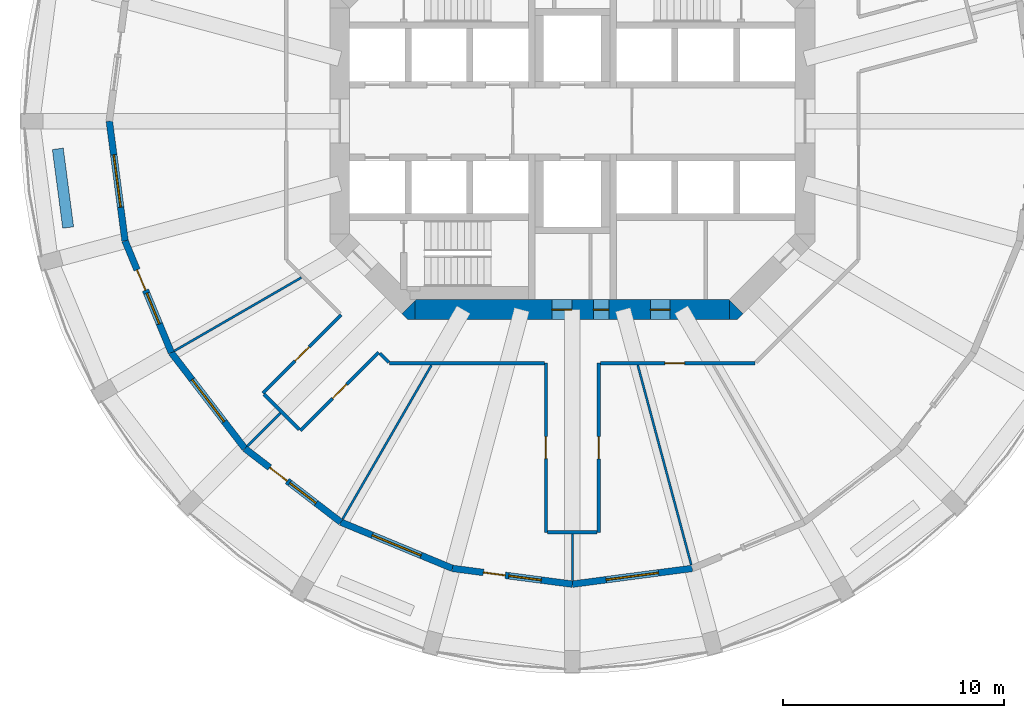
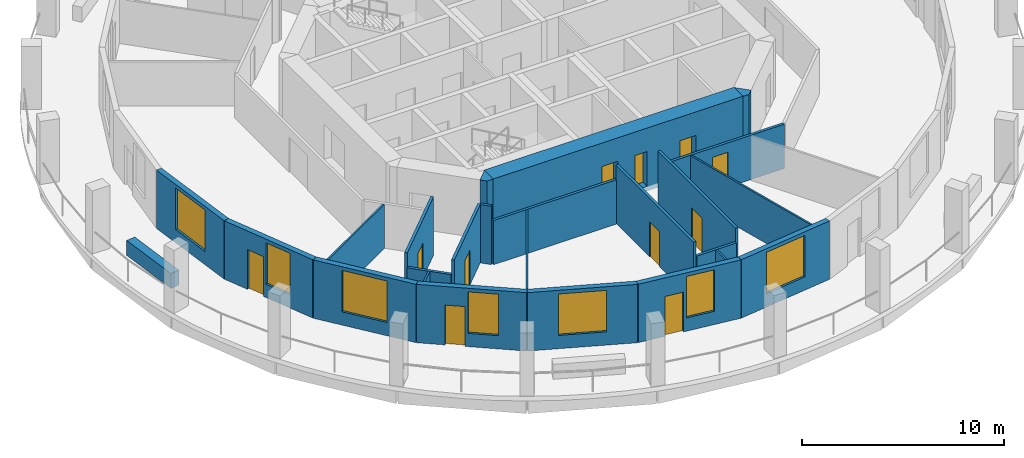
# One storey, part 2 of 8: 25 walls, 11 doors, 7 windows, 18 openings.
"""IFC4 building model written with IfcOpenShell, lengths in metres."""

from ifc_helpers import new_model, si_unit, direction, frame, frame_2d, origin, place, context, subcontext, project, spatial, polyline, rectangle, outline, extrude, material, layer, layer_set, type_object, element, fill, save


model = new_model("IFC4")

# Units and contexts
model_context = context("Model", 3, precision=1e-05, world=origin(), true_north=direction((0.0, 1.0)))
body_context = subcontext(model_context, "Body", "Model", "MODEL_VIEW")
ifc_project = project(units=[si_unit("LENGTHUNIT", "METRE"), si_unit("AREAUNIT", "SQUARE_METRE"), si_unit("VOLUMEUNIT", "CUBIC_METRE"), si_unit("PLANEANGLEUNIT", "RADIAN"), si_unit("MASSUNIT", "GRAM", prefix="KILO")], contexts=[model_context])

# Site, building, storey
site_placement = place(None, origin())
site = spatial("IfcSite", under=ifc_project, at=site_placement, CompositionType="ELEMENT")
building_placement = place(site_placement, origin())
building = spatial("IfcBuilding", under=site, at=building_placement, Name="Torre Triforio", CompositionType="ELEMENT")
storey_placement = place(building_placement, frame((0.0, 0.0, 131.39990234375)))
storey = spatial("IfcBuildingStorey", under=building, at=storey_placement, Name="L29", CompositionType="ELEMENT", Elevation=131.39990234375)

# Wall, openings, doors
ifc_material_1 = material(Name="Concrete C60", Category="concrete")
ifc_layer_1 = layer(ifc_material_1, 0.89990234375)
ifc_layer_set_1 = layer_set([ifc_layer_1], Name="Concrete C60")
wall_type_1 = type_object("IfcWallType", Name="Core wall 900 mm C60 EI 120", PredefinedType="SHEAR", material=ifc_layer_set_1)
wall_1_placement = place(storey_placement, frame((-7.1298828125, -8.550048828125, -0.27978515625), z_axis=(0.0, 0.0, 1.0), x_axis=(1.0, 0.0, 0.0)))
wall_1 = element("IfcWall", 1, at=wall_1_placement, inside=storey, type_object=wall_type_1, Name="Core wall", PredefinedType="SHEAR", context=body_context, shape_type="SweptSolid", body=[
    extrude(rectangle(XDim=14.259765625, YDim=0.89990234375, at=frame_2d((7.1298828125, 0.0))), origin(), (0.0, 0.0, 1.0), 3.7998046875),
])
opening_1_placement = place(wall_1_placement, frame((8.080078125, 0.0, 0.280029296875)))
opening_1 = element("IfcOpeningElement", 2, at=opening_1_placement, cuts=wall_1, Name="Opening RISER-S", PredefinedType="OPENING", context=body_context, shape_type="SweptSolid", body=[
    extrude(rectangle(XDim=0.699951171875, YDim=2.10009765625, at=frame_2d((0.35009765625, 1.050048828125))), frame((0.0, 0.4599609375, 0.0), z_axis=(0.0, -1.0, 0.0), x_axis=(1.0, 0.0, 0.0)), (0.0, 0.0, 1.0), 0.919921875),
])
opening_2_placement = place(wall_1_placement, frame((6.205078125, 0.0, 0.280029296875)))
opening_2 = element("IfcOpeningElement", 3, at=opening_2_placement, cuts=wall_1, Name="Opening SW-01B", PredefinedType="OPENING", context=body_context, shape_type="SweptSolid", body=[
    extrude(rectangle(XDim=0.89990234375, YDim=2.10009765625, at=frame_2d((0.449951171875, 1.050048828125))), frame((0.0, 0.4599609375, 0.0), z_axis=(0.0, -1.0, 0.0), x_axis=(1.0, 0.0, 0.0)), (0.0, 0.0, 1.0), 0.919921875),
])
opening_3_placement = place(wall_1_placement, frame((10.66748046875, 0.0, 0.280029296875)))
opening_3 = element("IfcOpeningElement", 4, at=opening_3_placement, cuts=wall_1, Name="Opening SE-01A", PredefinedType="OPENING", context=body_context, shape_type="SweptSolid", body=[
    extrude(rectangle(XDim=0.89990234375, YDim=2.10009765625, at=frame_2d((0.449951171875, 1.050048828125))), frame((0.0, 0.4599609375, 0.0), z_axis=(0.0, -1.0, 0.0), x_axis=(1.0, 0.0, 0.0)), (0.0, 0.0, 1.0), 0.919921875),
])
ifc_material_2 = material(Name="Hollow metal fire door leaf")
door_type_1 = type_object("IfcDoorType", Name="Riser door 700 x 2100 EI 60", OperationType="NOTDEFINED", PredefinedType="DOOR", material=ifc_material_2)
door_1_placement = place(opening_1_placement, origin())
door_1 = element("IfcDoor", 5, at=door_1_placement, inside=storey, type_object=door_type_1, Name="Core door RISER-S", OperationType="SINGLE_SWING_LEFT", OverallHeight=2.10009765625, OverallWidth=0.699951171875, PredefinedType="DOOR", context=body_context, shape_type="SweptSolid", body=[
    extrude(rectangle(XDim=0.699951171875, YDim=2.10009765625, at=frame_2d((0.35009765625, 1.050048828125))), frame((0.0, 0.02490234375, 0.0), z_axis=(0.0, -1.0, 0.0), x_axis=(1.0, 0.0, 0.0)), (0.0, 0.0, 1.0), 0.050048828125),
])
fill(opening_1, door_1)
door_type_2 = type_object("IfcDoorType", Name="Room door 900 x 2100 EI 60", OperationType="NOTDEFINED", PredefinedType="DOOR", material=ifc_material_2)
door_2_placement = place(opening_2_placement, origin())
door_2 = element("IfcDoor", 6, at=door_2_placement, inside=storey, type_object=door_type_2, Name="Core door SW-01", OperationType="SINGLE_SWING_LEFT", OverallHeight=2.10009765625, OverallWidth=0.89990234375, PredefinedType="DOOR", context=body_context, shape_type="SweptSolid", body=[
    extrude(rectangle(XDim=0.89990234375, YDim=2.10009765625, at=frame_2d((0.449951171875, 1.050048828125))), frame((0.0, 0.02490234375, 0.0), z_axis=(0.0, -1.0, 0.0), x_axis=(1.0, 0.0, 0.0)), (0.0, 0.0, 1.0), 0.050048828125),
])
fill(opening_2, door_2)
door_3_placement = place(opening_3_placement, origin())
door_3 = element("IfcDoor", 7, at=door_3_placement, inside=storey, type_object=door_type_2, Name="Core door SE-01", OperationType="SINGLE_SWING_LEFT", OverallHeight=2.10009765625, OverallWidth=0.89990234375, PredefinedType="DOOR", context=body_context, shape_type="SweptSolid", body=[
    extrude(rectangle(XDim=0.89990234375, YDim=2.10009765625, at=frame_2d((0.449951171875, 1.050048828125))), frame((0.0, 0.02490234375, 0.0), z_axis=(0.0, -1.0, 0.0), x_axis=(1.0, 0.0, 0.0)), (0.0, 0.0, 1.0), 0.050048828125),
])
fill(opening_3, door_3)

# Walls
wall_2_placement = place(storey_placement, frame((0.0, 0.0, -0.27978515625)))
element("IfcWall", 8, at=wall_2_placement, inside=storey, type_object=wall_type_1, Name="Core wall", PredefinedType="SHEAR", context=body_context, shape_type="SweptSolid", body=[
    extrude(outline(polyline([(-7.472900390625, -9.0), (-7.736328125, -8.736328125), (-7.1298828125, -8.1298828125), (-7.1298828125, -9.0), (-7.472900390625, -9.0)])), origin(), (0.0, 0.0, 1.0), 3.7998046875),
])
wall_3_placement = place(storey_placement, frame((0.0, 0.0, -0.27978515625)))
element("IfcWall", 9, at=wall_3_placement, inside=storey, type_object=wall_type_1, Name="Core wall", PredefinedType="SHEAR", context=body_context, shape_type="SweptSolid", body=[
    extrude(outline(polyline([(7.472900390625, -9.0), (7.1298828125, -9.0), (7.1298828125, -8.1298828125), (7.736328125, -8.736328125), (7.472900390625, -9.0)])), origin(), (0.0, 0.0, 1.0), 3.7998046875),
])
ifc_material_3 = material(Name="Plasterboard on metal studs")
ifc_layer_2 = layer(ifc_material_3, 0.14990234375)
ifc_layer_set_2 = layer_set([ifc_layer_2], Name="Plasterboard on metal studs")
wall_type_2 = type_object("IfcWallType", Name="Corridor and tenancy wall 150 mm EI 60", PredefinedType="PARTITIONING", material=ifc_layer_set_2)
wall_4_placement = place(storey_placement, frame((-12.39111328125, -13.982177734375, 0.0), z_axis=(0.0, 0.0, 1.0), x_axis=(-0.707106781187, 0.707106781187, 0.0)))
element("IfcWall", 10, at=wall_4_placement, inside=storey, type_object=wall_type_2, Name="Partition 1", PredefinedType="PARTITIONING", context=body_context, shape_type="SweptSolid", body=[
    extrude(rectangle(XDim=2.25, YDim=0.14990234375, at=frame_2d((1.125, 0.0))), origin(), (0.0, 0.0, 1.0), 2.670166015625),
])

# Wall, opening, door
wall_5_placement = place(storey_placement, frame((-14.03515625, -12.338134765625, 0.0), z_axis=(0.0, 0.0, 1.0), x_axis=(0.707106781187, 0.707106781187, 0.0)))
wall_5 = element("IfcWall", 11, at=wall_5_placement, inside=storey, type_object=wall_type_2, Name="Partition 2", PredefinedType="PARTITIONING", context=body_context, shape_type="SweptSolid", body=[
    extrude(rectangle(XDim=5.025634765625, YDim=0.14990234375, at=frame_2d((2.5126953125, 0.0))), origin(), (0.0, 0.0, 1.0), 3.52001953125),
])
opening_4_placement = place(wall_5_placement, frame((2.062744140625, 0.0, 0.0)))
opening_4 = element("IfcOpeningElement", 12, at=opening_4_placement, cuts=wall_5, Name="Opening D2-02", PredefinedType="OPENING", context=body_context, shape_type="SweptSolid", body=[
    extrude(rectangle(XDim=0.89990234375, YDim=2.10009765625, at=frame_2d((0.449951171875, 1.050048828125))), frame((0.0, 0.0849609375, 0.0), z_axis=(0.0, -1.0, 0.0), x_axis=(1.0, 0.0, 0.0)), (0.0, 0.0, 1.0), 0.169921875),
])
ifc_material_4 = material(Name="Timber", Category="wood")
door_type_3 = type_object("IfcDoorType", Name="Door 900 x 2100 single leaf EI 30", OperationType="NOTDEFINED", PredefinedType="DOOR", material=ifc_material_4)
door_4_placement = place(opening_4_placement, origin())
door_4 = element("IfcDoor", 13, at=door_4_placement, inside=storey, type_object=door_type_3, Name="Door D2-02", OperationType="SINGLE_SWING_LEFT", OverallHeight=2.10009765625, OverallWidth=0.89990234375, PredefinedType="DOOR", context=body_context, shape_type="SweptSolid", body=[
    extrude(rectangle(XDim=0.89990234375, YDim=2.10009765625, at=frame_2d((0.449951171875, 1.050048828125))), frame((0.0, 0.02490234375, 0.0), z_axis=(0.0, -1.0, 0.0), x_axis=(1.0, 0.0, 0.0)), (0.0, 0.0, 1.0), 0.050048828125),
])
fill(opening_4, door_4)

wall_6_placement = place(storey_placement, frame((8.291015625, -10.97509765625, 0.0), z_axis=(0.0, 0.0, 1.0), x_axis=(-1.0, 0.0, 0.0)))
wall_6 = element("IfcWall", 14, at=wall_6_placement, inside=storey, type_object=wall_type_2, Name="Partition 24", PredefinedType="PARTITIONING", context=body_context, shape_type="SweptSolid", body=[
    extrude(rectangle(XDim=7.01611328125, YDim=0.14990234375, at=frame_2d((3.508056640625, 0.0))), origin(), (0.0, 0.0, 1.0), 2.670166015625),
])
opening_5_placement = place(wall_6_placement, frame((3.198486328125, 0.0, 0.0)))
opening_5 = element("IfcOpeningElement", 15, at=opening_5_placement, cuts=wall_6, Name="Opening D2-06", PredefinedType="OPENING", context=body_context, shape_type="SweptSolid", body=[
    extrude(rectangle(XDim=0.89990234375, YDim=2.10009765625, at=frame_2d((0.449951171875, 1.050048828125))), frame((0.0, 0.0849609375, 0.0), z_axis=(0.0, -1.0, 0.0), x_axis=(1.0, 0.0, 0.0)), (0.0, 0.0, 1.0), 0.169921875),
])
door_5_placement = place(opening_5_placement, origin())
door_5 = element("IfcDoor", 16, at=door_5_placement, inside=storey, type_object=door_type_3, Name="Door D2-06", OperationType="SINGLE_SWING_LEFT", OverallHeight=2.10009765625, OverallWidth=0.89990234375, PredefinedType="DOOR", context=body_context, shape_type="SweptSolid", body=[
    extrude(rectangle(XDim=0.89990234375, YDim=2.10009765625, at=frame_2d((0.449951171875, 1.050048828125))), frame((0.0, 0.02490234375, 0.0), z_axis=(0.0, -1.0, 0.0), x_axis=(1.0, 0.0, 0.0)), (0.0, 0.0, 1.0), 0.050048828125),
])
fill(opening_5, door_5)

wall_7_placement = place(storey_placement, frame((1.199951171875, -10.97509765625, 0.0), z_axis=(0.0, 0.0, 1.0), x_axis=(0.0, -1.0, 0.0)))
wall_7 = element("IfcWall", 17, at=wall_7_placement, inside=storey, type_object=wall_type_2, Name="Partition 25", PredefinedType="PARTITIONING", context=body_context, shape_type="SweptSolid", body=[
    extrude(rectangle(XDim=7.673583984375, YDim=0.14990234375, at=frame_2d((3.8369140625, 0.0))), origin(), (0.0, 0.0, 1.0), 3.52001953125),
])
opening_6_placement = place(wall_7_placement, frame((3.3369140625, 0.0, 0.0)))
opening_6 = element("IfcOpeningElement", 18, at=opening_6_placement, cuts=wall_7, Name="Opening D2-05", PredefinedType="OPENING", context=body_context, shape_type="SweptSolid", body=[
    extrude(rectangle(XDim=1.0, YDim=2.10009765625, at=frame_2d((0.5, 1.050048828125))), frame((0.0, 0.0849609375, 0.0), z_axis=(0.0, -1.0, 0.0), x_axis=(1.0, 0.0, 0.0)), (0.0, 0.0, 1.0), 0.169921875),
])
door_type_4 = type_object("IfcDoorType", Name="Door 1000 x 2100 single leaf EI 30", OperationType="NOTDEFINED", PredefinedType="DOOR", material=ifc_material_4)
door_6_placement = place(opening_6_placement, origin())
door_6 = element("IfcDoor", 19, at=door_6_placement, inside=storey, type_object=door_type_4, Name="Door D2-05", OperationType="SINGLE_SWING_RIGHT", OverallHeight=2.10009765625, OverallWidth=1.0, PredefinedType="DOOR", context=body_context, shape_type="SweptSolid", body=[
    extrude(rectangle(XDim=1.0, YDim=2.10009765625, at=frame_2d((0.5, 1.050048828125))), frame((0.0, 0.02490234375, 0.0), z_axis=(0.0, -1.0, 0.0), x_axis=(1.0, 0.0, 0.0)), (0.0, 0.0, 1.0), 0.050048828125),
])
fill(opening_6, door_6)

# Wall
wall_8_placement = place(storey_placement, frame((1.125, -18.648681640625, 0.0), z_axis=(0.0, 0.0, 1.0), x_axis=(-1.0, 0.0, 0.0)))
element("IfcWall", 20, at=wall_8_placement, inside=storey, type_object=wall_type_2, Name="Partition 26", PredefinedType="PARTITIONING", context=body_context, shape_type="SweptSolid", body=[
    extrude(rectangle(XDim=2.25, YDim=0.14990234375, at=frame_2d((1.125, 0.0))), origin(), (0.0, 0.0, 1.0), 2.670166015625),
])

# Wall, opening, door
wall_9_placement = place(storey_placement, frame((-1.199951171875, -18.648681640625, 0.0), z_axis=(0.0, 0.0, 1.0), x_axis=(0.0, 1.0, 0.0)))
wall_9 = element("IfcWall", 21, at=wall_9_placement, inside=storey, type_object=wall_type_2, Name="Partition 27", PredefinedType="PARTITIONING", context=body_context, shape_type="SweptSolid", body=[
    extrude(rectangle(XDim=7.673583984375, YDim=0.14990234375, at=frame_2d((3.8369140625, 0.0))), origin(), (0.0, 0.0, 1.0), 3.52001953125),
])
opening_7_placement = place(wall_9_placement, frame((3.3369140625, 0.0, 0.0)))
opening_7 = element("IfcOpeningElement", 22, at=opening_7_placement, cuts=wall_9, Name="Opening D2-04", PredefinedType="OPENING", context=body_context, shape_type="SweptSolid", body=[
    extrude(rectangle(XDim=1.0, YDim=2.10009765625, at=frame_2d((0.5, 1.050048828125))), frame((0.0, 0.0849609375, 0.0), z_axis=(0.0, -1.0, 0.0), x_axis=(1.0, 0.0, 0.0)), (0.0, 0.0, 1.0), 0.169921875),
])
door_7_placement = place(opening_7_placement, origin())
door_7 = element("IfcDoor", 23, at=door_7_placement, inside=storey, type_object=door_type_4, Name="Door D2-04", OperationType="SINGLE_SWING_RIGHT", OverallHeight=2.10009765625, OverallWidth=1.0, PredefinedType="DOOR", context=body_context, shape_type="SweptSolid", body=[
    extrude(rectangle(XDim=1.0, YDim=2.10009765625, at=frame_2d((0.5, 1.050048828125))), frame((0.0, 0.02490234375, 0.0), z_axis=(0.0, -1.0, 0.0), x_axis=(1.0, 0.0, 0.0)), (0.0, 0.0, 1.0), 0.050048828125),
])
fill(opening_7, door_7)

# Walls
wall_10_placement = place(storey_placement, frame((-1.27490234375, -10.97509765625, 0.0), z_axis=(0.0, 0.0, 1.0), x_axis=(-1.0, 0.0, 0.0)))
element("IfcWall", 24, at=wall_10_placement, inside=storey, type_object=wall_type_2, Name="Partition 28", PredefinedType="PARTITIONING", context=body_context, shape_type="SweptSolid", body=[
    extrude(rectangle(XDim=7.01611328125, YDim=0.14990234375, at=frame_2d((3.508056640625, 0.0))), origin(), (0.0, 0.0, 1.0), 2.670166015625),
])
wall_11_placement = place(storey_placement, frame((-8.327880859375, -10.93798828125, 0.0), z_axis=(0.0, 0.0, 1.0), x_axis=(-0.707106781187, 0.707106781187, 0.0)))
element("IfcWall", 25, at=wall_11_placement, inside=storey, type_object=wall_type_2, Name="Partition 29", PredefinedType="PARTITIONING", context=body_context, shape_type="SweptSolid", body=[
    extrude(rectangle(XDim=0.57080078125, YDim=0.14990234375, at=frame_2d((0.285400390625, 0.0))), origin(), (0.0, 0.0, 1.0), 3.52001953125),
])

# Wall, opening, door
wall_12_placement = place(storey_placement, frame((-8.784423828125, -10.4814453125, 0.0), z_axis=(0.0, 0.0, 1.0), x_axis=(-0.707106781187, -0.707106781187, 0.0)))
wall_12 = element("IfcWall", 26, at=wall_12_placement, inside=storey, type_object=wall_type_2, Name="Partition 30", PredefinedType="PARTITIONING", context=body_context, shape_type="SweptSolid", body=[
    extrude(rectangle(XDim=5.025634765625, YDim=0.14990234375, at=frame_2d((2.5126953125, 0.0))), origin(), (0.0, 0.0, 1.0), 3.52001953125),
])
opening_8_placement = place(wall_12_placement, frame((2.062744140625, 0.0, 0.0)))
opening_8 = element("IfcOpeningElement", 27, at=opening_8_placement, cuts=wall_12, Name="Opening D2-03", PredefinedType="OPENING", context=body_context, shape_type="SweptSolid", body=[
    extrude(rectangle(XDim=0.89990234375, YDim=2.10009765625, at=frame_2d((0.449951171875, 1.050048828125))), frame((0.0, 0.0849609375, 0.0), z_axis=(0.0, -1.0, 0.0), x_axis=(1.0, 0.0, 0.0)), (0.0, 0.0, 1.0), 0.169921875),
])
door_8_placement = place(opening_8_placement, origin())
door_8 = element("IfcDoor", 28, at=door_8_placement, inside=storey, type_object=door_type_3, Name="Door D2-03", OperationType="SINGLE_SWING_LEFT", OverallHeight=2.10009765625, OverallWidth=0.89990234375, PredefinedType="DOOR", context=body_context, shape_type="SweptSolid", body=[
    extrude(rectangle(XDim=0.89990234375, YDim=2.10009765625, at=frame_2d((0.449951171875, 1.050048828125))), frame((0.0, 0.02490234375, 0.0), z_axis=(0.0, -1.0, 0.0), x_axis=(1.0, 0.0, 0.0)), (0.0, 0.0, 1.0), 0.050048828125),
])
fill(opening_8, door_8)

# Walls
ifc_layer_3 = layer(ifc_material_3, 0.10009765625)
ifc_layer_set_3 = layer_set([ifc_layer_3], Name="Plasterboard on metal studs")
wall_type_3 = type_object("IfcWallType", Name="Partition 100 mm board on metal studs", PredefinedType="PARTITIONING", material=ifc_layer_set_3)
wall_13_placement = place(storey_placement, frame((-12.294189453125, -7.097900390625, 0.0), z_axis=(0.0, 0.0, 1.0), x_axis=(-0.866010486135, -0.500025837236, 0.0)))
element("IfcWall", 29, at=wall_13_placement, inside=storey, type_object=wall_type_3, Name="Partition 40", PredefinedType="PARTITIONING", context=body_context, shape_type="SweptSolid", body=[
    extrude(rectangle(XDim=6.640869140625, YDim=0.10009765625, at=frame_2d((3.3203125, 0.0))), origin(), (0.0, 0.0, 1.0), 2.670166015625),
])
wall_14_placement = place(storey_placement, frame((-13.23974609375, -13.23974609375, 0.0), z_axis=(0.0, 0.0, 1.0), x_axis=(-0.707106781187, -0.707106781187, 0.0)))
element("IfcWall", 30, at=wall_14_placement, inside=storey, type_object=wall_type_3, Name="Partition 41", PredefinedType="PARTITIONING", context=body_context, shape_type="SweptSolid", body=[
    extrude(rectangle(XDim=2.113037109375, YDim=0.10009765625, at=frame_2d((1.056640625, 0.0))), origin(), (0.0, 0.0, 1.0), 2.670166015625),
])
wall_15_placement = place(storey_placement, frame((-6.393798828125, -11.07470703125, 0.0), z_axis=(0.0, 0.0, 1.0), x_axis=(-0.500024397361, -0.866011317503, 0.0)))
element("IfcWall", 31, at=wall_15_placement, inside=storey, type_object=wall_type_3, Name="Partition 42", PredefinedType="PARTITIONING", context=body_context, shape_type="SweptSolid", body=[
    extrude(rectangle(XDim=8.048828125, YDim=0.10009765625, at=frame_2d((4.0244140625, 0.0))), origin(), (0.0, 0.0, 1.0), 2.670166015625),
])
wall_16_placement = place(storey_placement, frame((0.0, -18.7236328125, 0.0), z_axis=(0.0, 0.0, 1.0), x_axis=(0.0, -1.0, 0.0)))
element("IfcWall", 32, at=wall_16_placement, inside=storey, type_object=wall_type_3, Name="Partition 43", PredefinedType="PARTITIONING", context=body_context, shape_type="SweptSolid", body=[
    extrude(rectangle(XDim=2.113037109375, YDim=0.10009765625, at=frame_2d((1.056640625, 0.0))), origin(), (0.0, 0.0, 1.0), 2.670166015625),
])
wall_17_placement = place(storey_placement, frame((2.964599609375, -11.064208984375, 0.0), z_axis=(0.0, 0.0, 1.0), x_axis=(0.258812392192, -0.965927608906, 0.0)))
element("IfcWall", 33, at=wall_17_placement, inside=storey, type_object=wall_type_3, Name="Partition 44", PredefinedType="PARTITIONING", context=body_context, shape_type="SweptSolid", body=[
    extrude(rectangle(XDim=9.382080078125, YDim=0.10009765625, at=frame_2d((4.69091796875, 0.0))), origin(), (0.0, 0.0, 1.0), 2.670166015625),
])
ifc_material_5 = material(Name="Limestone cladding", Category="masonry")
ifc_layer_4 = layer(ifc_material_5, 0.10009765625)
ifc_material_6 = material(Name="Concrete C40", Category="concrete")
ifc_layer_5 = layer(ifc_material_6, 0.39990234375)
ifc_layer_set_4 = layer_set([ifc_layer_4, ifc_layer_5], Name="Limestone cladding / Concrete C40")
wall_type_4 = type_object("IfcWallType", Name="Planter wall 500", PredefinedType="PARAPET", material=ifc_layer_set_4)
wall_18_placement = place(storey_placement, frame((-23.335693359375, -1.256591796875, 0.0), z_axis=(0.0, 0.0, 1.0), x_axis=(0.130542222659, -0.991442750795, 0.0)))
element("IfcWall", 34, at=wall_18_placement, inside=storey, type_object=wall_type_4, Name="Planter L29 bay 13", PredefinedType="PARAPET", context=body_context, shape_type="SweptSolid", body=[
    extrude(rectangle(XDim=3.60009765625, YDim=0.5, at=frame_2d((1.800048828125, 0.0))), origin(), (0.0, 0.0, 1.0), 0.900146484375),
])

# Wall, opening, window
ifc_layer_6 = layer(ifc_material_5, 0.10009765625)
ifc_layer_7 = layer(ifc_material_6, 0.199951171875)
ifc_layer_set_5 = layer_set([ifc_layer_6, ifc_layer_7], Name="Limestone cladding / Concrete C40")
wall_type_5 = type_object("IfcWallType", Name="Stone-faced composite wall 300", PredefinedType="STANDARD", material=ifc_layer_set_5)
wall_19_placement = place(storey_placement, frame((-21.0, 0.0, 0.0), z_axis=(0.0, 0.0, 1.0), x_axis=(0.130527087244, -0.991444743541, 0.0)))
wall_19 = element("IfcWall", 35, at=wall_19_placement, inside=storey, type_object=wall_type_5, Name="External wall L29 bay 13", PredefinedType="STANDARD", context=body_context, shape_type="SweptSolid", body=[
    extrude(rectangle(XDim=5.482177734375, YDim=0.300048828125, at=frame_2d((2.7412109375, 0.0))), origin(), (0.0, 0.0, 1.0), 3.52001953125),
])
opening_9_placement = place(wall_19_placement, frame((1.541015625, 0.0, 0.800048828125)))
opening_9 = element("IfcOpeningElement", 36, at=opening_9_placement, cuts=wall_19, Name="Opening D2-W13", PredefinedType="OPENING", context=body_context, shape_type="SweptSolid", body=[
    extrude(rectangle(XDim=2.39990234375, YDim=2.5, at=frame_2d((1.199951171875, 1.25))), frame((0.0, 0.159912109375, 0.0), z_axis=(0.0, -1.0, 0.0), x_axis=(1.0, 0.0, 0.0)), (0.0, 0.0, 1.0), 0.320068359375),
])
ifc_material_7 = material(Name="Aluminium frame with clear double glazing", Category="aluminium")
window_type_1 = type_object("IfcWindowType", Name="Punched window 2400 x 2500", PartitioningType="DOUBLE_PANEL_VERTICAL", PredefinedType="WINDOW", material=ifc_material_7)
window_1_placement = place(opening_9_placement, origin())
window_1 = element("IfcWindow", 37, at=window_1_placement, inside=storey, type_object=window_type_1, Name="Window EWN3 L29 bay 13", OverallHeight=2.5, OverallWidth=2.39990234375, PartitioningType="SINGLE_PANEL", PredefinedType="WINDOW", context=body_context, shape_type="SweptSolid", body=[
    extrude(rectangle(XDim=2.39990234375, YDim=2.5, at=frame_2d((1.199951171875, 1.25))), frame((0.0, 0.030029296875, 0.0), z_axis=(0.0, -1.0, 0.0), x_axis=(1.0, 0.0, 0.0)), (0.0, 0.0, 1.0), 0.06005859375),
])
fill(opening_9, window_1)

# Wall, openings, door, window
wall_20_placement = place(storey_placement, frame((-20.284423828125, -5.435302734375, 0.0), z_axis=(0.0, 0.0, 1.0), x_axis=(0.382688740813, -0.923877333662, 0.0)))
wall_20 = element("IfcWall", 38, at=wall_20_placement, inside=storey, type_object=wall_type_5, Name="External wall L29 bay 14", PredefinedType="STANDARD", context=body_context, shape_type="SweptSolid", body=[
    extrude(rectangle(XDim=5.48193359375, YDim=0.300048828125, at=frame_2d((2.740966796875, 0.0))), origin(), (0.0, 0.0, 1.0), 3.52001953125),
])
opening_10_placement = place(wall_20_placement, frame((1.416015625, 0.0, 0.0)))
opening_10 = element("IfcOpeningElement", 39, at=opening_10_placement, cuts=wall_20, Name="Opening D2-D14", PredefinedType="OPENING", context=body_context, shape_type="SweptSolid", body=[
    extrude(rectangle(XDim=1.0, YDim=2.39990234375, at=frame_2d((0.5, 1.199951171875))), frame((0.0, 0.159912109375, 0.0), z_axis=(0.0, -1.0, 0.0), x_axis=(1.0, 0.0, 0.0)), (0.0, 0.0, 1.0), 0.320068359375),
])
opening_11_placement = place(wall_20_placement, frame((2.566162109375, 0.0, 0.800048828125)))
opening_11 = element("IfcOpeningElement", 40, at=opening_11_placement, cuts=wall_20, Name="Opening D2-W14A", PredefinedType="OPENING", context=body_context, shape_type="SweptSolid", body=[
    extrude(rectangle(XDim=1.5, YDim=2.5, at=frame_2d((0.75, 1.25))), frame((0.0, 0.159912109375, 0.0), z_axis=(0.0, -1.0, 0.0), x_axis=(1.0, 0.0, 0.0)), (0.0, 0.0, 1.0), 0.320068359375),
])
door_type_5 = type_object("IfcDoorType", Name="Loggia door 1000 x 2400", OperationType="NOTDEFINED", PredefinedType="DOOR", material=ifc_material_7)
door_9_placement = place(opening_10_placement, origin())
door_9 = element("IfcDoor", 41, at=door_9_placement, inside=storey, type_object=door_type_5, Name="Loggia door L29 bay 14", OperationType="SINGLE_SWING_LEFT", OverallHeight=2.39990234375, OverallWidth=1.0, PredefinedType="DOOR", context=body_context, shape_type="SweptSolid", body=[
    extrude(rectangle(XDim=1.0, YDim=2.39990234375, at=frame_2d((0.5, 1.199951171875))), frame((0.0, 0.02490234375, 0.0), z_axis=(0.0, -1.0, 0.0), x_axis=(1.0, 0.0, 0.0)), (0.0, 0.0, 1.0), 0.050048828125),
])
fill(opening_10, door_9)
window_type_2 = type_object("IfcWindowType", Name="Side window 1500 x 2500", PartitioningType="SINGLE_PANEL", PredefinedType="WINDOW", material=ifc_material_7)
window_2_placement = place(opening_11_placement, origin())
window_2 = element("IfcWindow", 42, at=window_2_placement, inside=storey, type_object=window_type_2, Name="Side window EWN13 L29 bay 14", OverallHeight=2.5, OverallWidth=1.5, PartitioningType="SINGLE_PANEL", PredefinedType="WINDOW", context=body_context, shape_type="SweptSolid", body=[
    extrude(rectangle(XDim=1.5, YDim=2.5, at=frame_2d((0.75, 1.25))), frame((0.0, 0.030029296875, 0.0), z_axis=(0.0, -1.0, 0.0), x_axis=(1.0, 0.0, 0.0)), (0.0, 0.0, 1.0), 0.06005859375),
])
fill(opening_11, window_2)

# Wall, opening, window
wall_21_placement = place(storey_placement, frame((-18.1865234375, -10.5, 0.0), z_axis=(0.0, 0.0, 1.0), x_axis=(0.608784891166, -0.793335336593, 0.0)))
wall_21 = element("IfcWall", 43, at=wall_21_placement, inside=storey, type_object=wall_type_5, Name="External wall L29 bay 15", PredefinedType="STANDARD", context=body_context, shape_type="SweptSolid", body=[
    extrude(rectangle(XDim=5.482177734375, YDim=0.300048828125, at=frame_2d((2.7412109375, 0.0))), origin(), (0.0, 0.0, 1.0), 3.52001953125),
])
opening_12_placement = place(wall_21_placement, frame((1.541015625, 0.0, 0.800048828125)))
opening_12 = element("IfcOpeningElement", 44, at=opening_12_placement, cuts=wall_21, Name="Opening D2-W15", PredefinedType="OPENING", context=body_context, shape_type="SweptSolid", body=[
    extrude(rectangle(XDim=2.39990234375, YDim=2.5, at=frame_2d((1.199951171875, 1.25))), frame((0.0, 0.159912109375, 0.0), z_axis=(0.0, -1.0, 0.0), x_axis=(1.0, 0.0, 0.0)), (0.0, 0.0, 1.0), 0.320068359375),
])
window_3_placement = place(opening_12_placement, origin())
window_3 = element("IfcWindow", 45, at=window_3_placement, inside=storey, type_object=window_type_1, Name="Window EWN3 L29 bay 15", OverallHeight=2.5, OverallWidth=2.39990234375, PartitioningType="SINGLE_PANEL", PredefinedType="WINDOW", context=body_context, shape_type="SweptSolid", body=[
    extrude(rectangle(XDim=2.39990234375, YDim=2.5, at=frame_2d((1.199951171875, 1.25))), frame((0.0, 0.030029296875, 0.0), z_axis=(0.0, -1.0, 0.0), x_axis=(1.0, 0.0, 0.0)), (0.0, 0.0, 1.0), 0.06005859375),
])
fill(opening_12, window_3)

# Wall, openings, door, window
wall_22_placement = place(storey_placement, frame((-14.84912109375, -14.84912109375, 0.0), z_axis=(0.0, 0.0, 1.0), x_axis=(0.793335336593, -0.608784891166, 0.0)))
wall_22 = element("IfcWall", 46, at=wall_22_placement, inside=storey, type_object=wall_type_5, Name="External wall L29 bay 16", PredefinedType="STANDARD", context=body_context, shape_type="SweptSolid", body=[
    extrude(rectangle(XDim=5.482177734375, YDim=0.300048828125, at=frame_2d((2.7412109375, 0.0))), origin(), (0.0, 0.0, 1.0), 3.52001953125),
])
opening_13_placement = place(wall_22_placement, frame((1.416015625, 0.0, 0.0)))
opening_13 = element("IfcOpeningElement", 47, at=opening_13_placement, cuts=wall_22, Name="Opening D2-D16", PredefinedType="OPENING", context=body_context, shape_type="SweptSolid", body=[
    extrude(rectangle(XDim=1.0, YDim=2.39990234375, at=frame_2d((0.5, 1.199951171875))), frame((0.0, 0.159912109375, 0.0), z_axis=(0.0, -1.0, 0.0), x_axis=(1.0, 0.0, 0.0)), (0.0, 0.0, 1.0), 0.320068359375),
])
opening_14_placement = place(wall_22_placement, frame((2.56591796875, 0.0, 0.800048828125)))
opening_14 = element("IfcOpeningElement", 48, at=opening_14_placement, cuts=wall_22, Name="Opening D2-W16A", PredefinedType="OPENING", context=body_context, shape_type="SweptSolid", body=[
    extrude(rectangle(XDim=1.5, YDim=2.5, at=frame_2d((0.75, 1.25))), frame((0.0, 0.159912109375, 0.0), z_axis=(0.0, -1.0, 0.0), x_axis=(1.0, 0.0, 0.0)), (0.0, 0.0, 1.0), 0.320068359375),
])
door_10_placement = place(opening_13_placement, origin())
door_10 = element("IfcDoor", 49, at=door_10_placement, inside=storey, type_object=door_type_5, Name="Loggia door L29 bay 16", OperationType="SINGLE_SWING_LEFT", OverallHeight=2.39990234375, OverallWidth=1.0, PredefinedType="DOOR", context=body_context, shape_type="SweptSolid", body=[
    extrude(rectangle(XDim=1.0, YDim=2.39990234375, at=frame_2d((0.5, 1.199951171875))), frame((0.0, 0.02490234375, 0.0), z_axis=(0.0, -1.0, 0.0), x_axis=(1.0, 0.0, 0.0)), (0.0, 0.0, 1.0), 0.050048828125),
])
fill(opening_13, door_10)
window_4_placement = place(opening_14_placement, origin())
window_4 = element("IfcWindow", 50, at=window_4_placement, inside=storey, type_object=window_type_2, Name="Side window EWN13 L29 bay 16", OverallHeight=2.5, OverallWidth=1.5, PartitioningType="SINGLE_PANEL", PredefinedType="WINDOW", context=body_context, shape_type="SweptSolid", body=[
    extrude(rectangle(XDim=1.5, YDim=2.5, at=frame_2d((0.75, 1.25))), frame((0.0, 0.030029296875, 0.0), z_axis=(0.0, -1.0, 0.0), x_axis=(1.0, 0.0, 0.0)), (0.0, 0.0, 1.0), 0.06005859375),
])
fill(opening_14, window_4)

# Wall, opening, window
wall_23_placement = place(storey_placement, frame((-10.5, -18.1865234375, 0.0), z_axis=(0.0, 0.0, 1.0), x_axis=(0.923877333662, -0.382688740813, 0.0)))
wall_23 = element("IfcWall", 51, at=wall_23_placement, inside=storey, type_object=wall_type_5, Name="External wall L29 bay 17", PredefinedType="STANDARD", context=body_context, shape_type="SweptSolid", body=[
    extrude(rectangle(XDim=5.48193359375, YDim=0.300048828125, at=frame_2d((2.740966796875, 0.0))), origin(), (0.0, 0.0, 1.0), 3.52001953125),
])
opening_15_placement = place(wall_23_placement, frame((1.541015625, 0.0, 0.800048828125)))
opening_15 = element("IfcOpeningElement", 52, at=opening_15_placement, cuts=wall_23, Name="Opening D2-W17", PredefinedType="OPENING", context=body_context, shape_type="SweptSolid", body=[
    extrude(rectangle(XDim=2.39990234375, YDim=2.5, at=frame_2d((1.199951171875, 1.25))), frame((0.0, 0.159912109375, 0.0), z_axis=(0.0, -1.0, 0.0), x_axis=(1.0, 0.0, 0.0)), (0.0, 0.0, 1.0), 0.320068359375),
])
window_5_placement = place(opening_15_placement, origin())
window_5 = element("IfcWindow", 53, at=window_5_placement, inside=storey, type_object=window_type_1, Name="Window EWN3 L29 bay 17", OverallHeight=2.5, OverallWidth=2.39990234375, PartitioningType="SINGLE_PANEL", PredefinedType="WINDOW", context=body_context, shape_type="SweptSolid", body=[
    extrude(rectangle(XDim=2.39990234375, YDim=2.5, at=frame_2d((1.199951171875, 1.25))), frame((0.0, 0.030029296875, 0.0), z_axis=(0.0, -1.0, 0.0), x_axis=(1.0, 0.0, 0.0)), (0.0, 0.0, 1.0), 0.06005859375),
])
fill(opening_15, window_5)

# Wall, openings, door, window
wall_24_placement = place(storey_placement, frame((-5.435302734375, -20.284423828125, 0.0), z_axis=(0.0, 0.0, 1.0), x_axis=(0.991444743541, -0.130527087244, 0.0)))
wall_24 = element("IfcWall", 54, at=wall_24_placement, inside=storey, type_object=wall_type_5, Name="External wall L29 bay 18", PredefinedType="STANDARD", context=body_context, shape_type="SweptSolid", body=[
    extrude(rectangle(XDim=5.482177734375, YDim=0.300048828125, at=frame_2d((2.7412109375, 0.0))), origin(), (0.0, 0.0, 1.0), 3.52001953125),
])
opening_16_placement = place(wall_24_placement, frame((1.416015625, 0.0, 0.0)))
opening_16 = element("IfcOpeningElement", 55, at=opening_16_placement, cuts=wall_24, Name="Opening D2-D18", PredefinedType="OPENING", context=body_context, shape_type="SweptSolid", body=[
    extrude(rectangle(XDim=1.0, YDim=2.39990234375, at=frame_2d((0.5, 1.199951171875))), frame((0.0, 0.159912109375, 0.0), z_axis=(0.0, -1.0, 0.0), x_axis=(1.0, 0.0, 0.0)), (0.0, 0.0, 1.0), 0.320068359375),
])
opening_17_placement = place(wall_24_placement, frame((2.566162109375, 0.0, 0.800048828125)))
opening_17 = element("IfcOpeningElement", 56, at=opening_17_placement, cuts=wall_24, Name="Opening D2-W18A", PredefinedType="OPENING", context=body_context, shape_type="SweptSolid", body=[
    extrude(rectangle(XDim=1.5, YDim=2.5, at=frame_2d((0.75, 1.25))), frame((0.0, 0.159912109375, 0.0), z_axis=(0.0, -1.0, 0.0), x_axis=(1.0, 0.0, 0.0)), (0.0, 0.0, 1.0), 0.320068359375),
])
door_11_placement = place(opening_16_placement, origin())
door_11 = element("IfcDoor", 57, at=door_11_placement, inside=storey, type_object=door_type_5, Name="Loggia door L29 bay 18", OperationType="SINGLE_SWING_LEFT", OverallHeight=2.39990234375, OverallWidth=1.0, PredefinedType="DOOR", context=body_context, shape_type="SweptSolid", body=[
    extrude(rectangle(XDim=1.0, YDim=2.39990234375, at=frame_2d((0.5, 1.199951171875))), frame((0.0, 0.02490234375, 0.0), z_axis=(0.0, -1.0, 0.0), x_axis=(1.0, 0.0, 0.0)), (0.0, 0.0, 1.0), 0.050048828125),
])
fill(opening_16, door_11)
window_6_placement = place(opening_17_placement, origin())
window_6 = element("IfcWindow", 58, at=window_6_placement, inside=storey, type_object=window_type_2, Name="Side window EWN13 L29 bay 18", OverallHeight=2.5, OverallWidth=1.5, PartitioningType="SINGLE_PANEL", PredefinedType="WINDOW", context=body_context, shape_type="SweptSolid", body=[
    extrude(rectangle(XDim=1.5, YDim=2.5, at=frame_2d((0.75, 1.25))), frame((0.0, 0.030029296875, 0.0), z_axis=(0.0, -1.0, 0.0), x_axis=(1.0, 0.0, 0.0)), (0.0, 0.0, 1.0), 0.06005859375),
])
fill(opening_17, window_6)

# Wall, opening, window
wall_25_placement = place(storey_placement, frame((0.0, -21.0, 0.0), z_axis=(0.0, 0.0, 1.0), x_axis=(0.991444743541, 0.130527087244, 0.0)))
wall_25 = element("IfcWall", 59, at=wall_25_placement, inside=storey, type_object=wall_type_5, Name="External wall L29 bay 19", PredefinedType="STANDARD", context=body_context, shape_type="SweptSolid", body=[
    extrude(rectangle(XDim=5.482177734375, YDim=0.300048828125, at=frame_2d((2.7412109375, 0.0))), origin(), (0.0, 0.0, 1.0), 3.52001953125),
])
opening_18_placement = place(wall_25_placement, frame((1.541015625, 0.0, 0.800048828125)))
opening_18 = element("IfcOpeningElement", 60, at=opening_18_placement, cuts=wall_25, Name="Opening D2-W19", PredefinedType="OPENING", context=body_context, shape_type="SweptSolid", body=[
    extrude(rectangle(XDim=2.39990234375, YDim=2.5, at=frame_2d((1.199951171875, 1.25))), frame((0.0, 0.159912109375, 0.0), z_axis=(0.0, -1.0, 0.0), x_axis=(1.0, 0.0, 0.0)), (0.0, 0.0, 1.0), 0.320068359375),
])
window_7_placement = place(opening_18_placement, origin())
window_7 = element("IfcWindow", 61, at=window_7_placement, inside=storey, type_object=window_type_1, Name="Window EWN3 L29 bay 19", OverallHeight=2.5, OverallWidth=2.39990234375, PartitioningType="SINGLE_PANEL", PredefinedType="WINDOW", context=body_context, shape_type="SweptSolid", body=[
    extrude(rectangle(XDim=2.39990234375, YDim=2.5, at=frame_2d((1.199951171875, 1.25))), frame((0.0, 0.030029296875, 0.0), z_axis=(0.0, -1.0, 0.0), x_axis=(1.0, 0.0, 0.0)), (0.0, 0.0, 1.0), 0.06005859375),
])
fill(opening_18, window_7)

save(model, "model.ifc")
